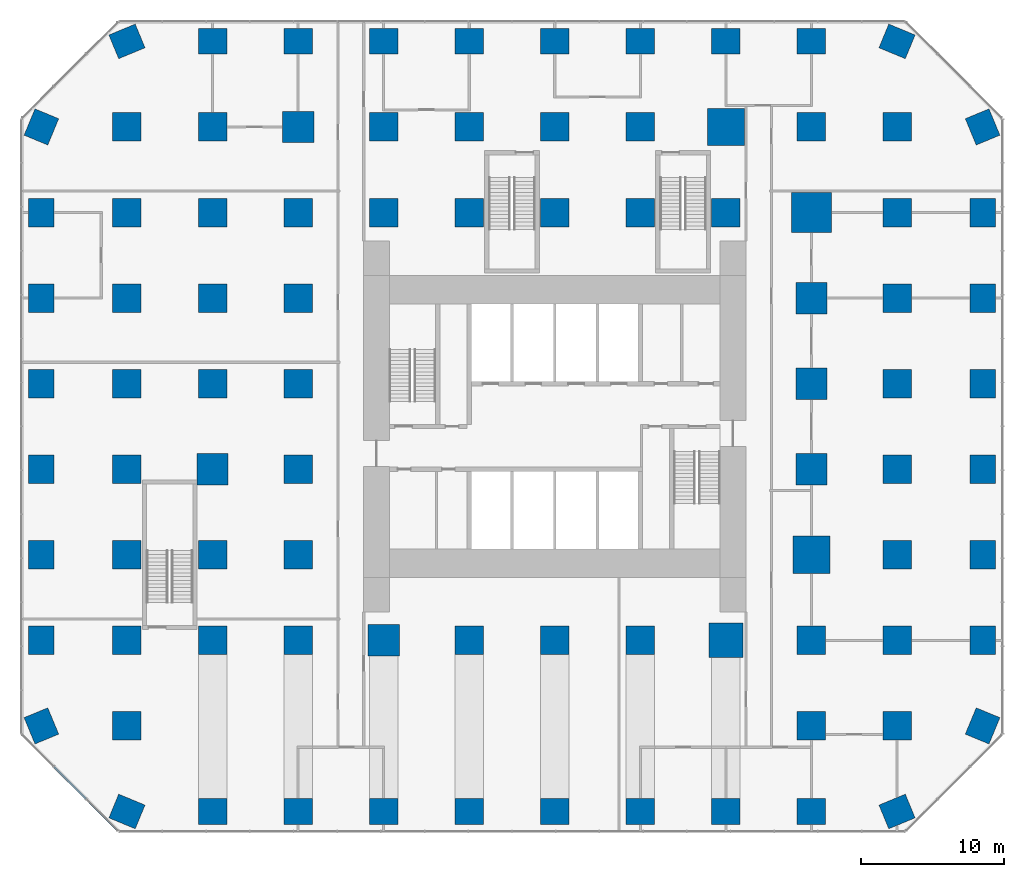
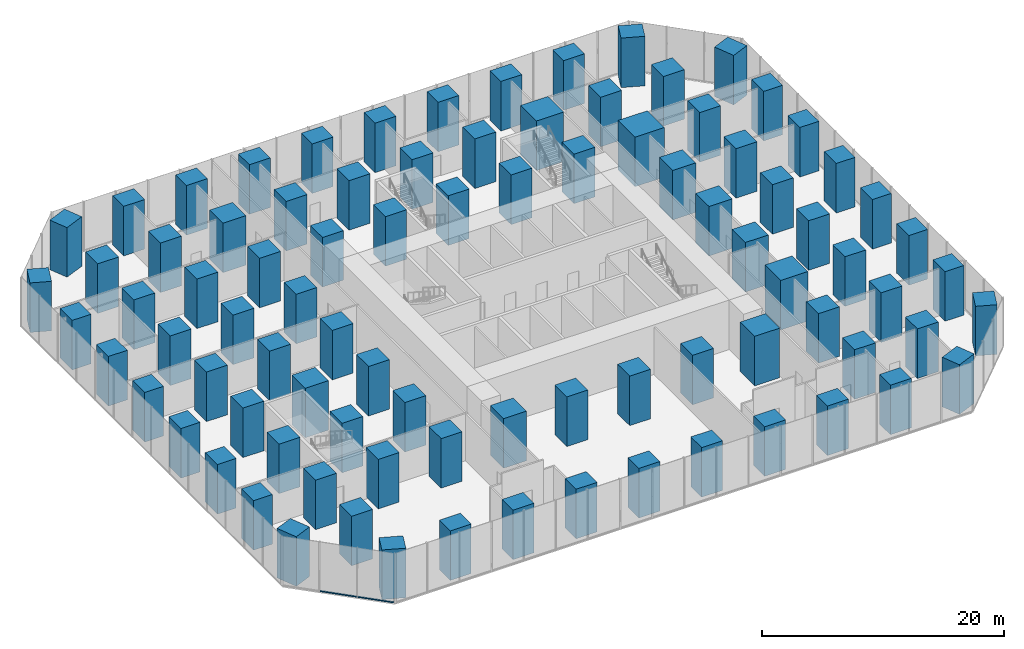
# One storey, part 1 of 15: 89 columns, 2 members, 1 element without a shape of its own.
"""IFC4 building model written with IfcOpenShell, lengths in metres."""

from ifc_helpers import new_model, si_unit, direction, frame, origin, origin_2d, place, context, subcontext, project, spatial, rectangle, extrude, material, layer, layer_set, material_profile, profile_set, type_object, element, aggregate, save


model = new_model("IFC4")

# Units and contexts
model_context = context("Model", 3, precision=1e-05, world=origin(), true_north=direction((0.0, 1.0)))
body_context = subcontext(model_context, "Body", "Model", "MODEL_VIEW")
ifc_project = project(units=[si_unit("LENGTHUNIT", "METRE"), si_unit("AREAUNIT", "SQUARE_METRE"), si_unit("VOLUMEUNIT", "CUBIC_METRE"), si_unit("PLANEANGLEUNIT", "RADIAN"), si_unit("MASSUNIT", "GRAM", prefix="KILO")], contexts=[model_context])

# Site, building, storey
site_placement = place(None, origin())
site = spatial("IfcSite", under=ifc_project, at=site_placement, CompositionType="ELEMENT")
building_placement = place(site_placement, origin())
building = spatial("IfcBuilding", under=site, at=building_placement, Name="Highveld Stack Headquarters", CompositionType="ELEMENT")
storey_placement = place(building_placement, frame((0.0, 0.0, 6.0)))
storey = spatial("IfcBuildingStorey", under=building, at=storey_placement, Name="L01", CompositionType="ELEMENT", Elevation=6.0)

# Columns
ifc_material_1 = material(Name="Concrete C60/75", Category="concrete")
ifc_material_profile_1 = material_profile(ifc_material_1, rectangle(XDim=2.0, YDim=1.800048828125, at=origin_2d()), Name="RC 2000x1800")
ifc_profile_set_1 = profile_set([ifc_material_profile_1], Name="Concrete C60/75")
column_type_1 = type_object("IfcColumnType", Name="COLUMN RC 2000x1800 C60/75", PredefinedType="COLUMN", material=ifc_profile_set_1)
for number, where, z_axis, x_axis, name in (
    (1, (-30.0, -18.0, 0.0), (0.0, 0.0, 1.0), (-0.382683432365, 0.923879532511, 0.0), "Column 1/B L01"),
    (2, (-30.0, -12.0, 0.0), (0.0, 0.0, 1.0), (0.0, 1.0, 0.0), "Column 1/C L01"),
    (3, (-30.0, -6.0, 0.0), (0.0, 0.0, 1.0), (0.0, 1.0, 0.0), "Column 1/D L01"),
    (4, (-30.0, 0.0, 0.0), (0.0, 0.0, 1.0), (0.0, 1.0, 0.0), "Column 1/E L01"),
    (5, (-30.0, 6.0, 0.0), (0.0, 0.0, 1.0), (0.0, 1.0, 0.0), "Column 1/F L01"),
    (6, (-30.0, 12.0, 0.0), (0.0, 0.0, 1.0), (0.0, 1.0, 0.0), "Column 1/G L01"),
    (7, (-30.0, 18.0, 0.0), (0.0, 0.0, 1.0), (0.0, 1.0, 0.0), "Column 1/H L01"),
    (8, (-30.0, 24.0, 0.0), (0.0, 0.0, 1.0), (0.382683432365, 0.923879532511, 0.0), "Column 1/J L01"),
    (9, (-24.0, -24.0, 0.0), (0.0, 0.0, 1.0), (-0.923879532511, 0.382683432365, 0.0), "Column 2/A L01"),
    (10, (-24.0, 30.0, 0.0), (0.0, 0.0, 1.0), (0.923879532511, 0.382683432365, 0.0), "Column 2/K L01"),
    (11, (-18.0, -24.0, 0.0), (0.0, 0.0, 1.0), (1.0, 0.0, 0.0), "Column 3/A L01"),
    (12, (-18.0, 30.0, 0.0), (0.0, 0.0, 1.0), (1.0, 0.0, 0.0), "Column 3/K L01"),
    (13, (-12.0, -24.0, 0.0), (0.0, 0.0, 1.0), (1.0, 0.0, 0.0), "Column 4/A L01"),
    (14, (-12.0, 30.0, 0.0), (0.0, 0.0, 1.0), (1.0, 0.0, 0.0), "Column 4/K L01"),
    (15, (-6.0, -24.0, 0.0), (0.0, 0.0, 1.0), (1.0, 0.0, 0.0), "Column 5/A L01"),
    (16, (-6.0, 30.0, 0.0), (0.0, 0.0, 1.0), (1.0, 0.0, 0.0), "Column 5/K L01"),
    (17, (0.0, -24.0, 0.0), (0.0, 0.0, 1.0), (1.0, 0.0, 0.0), "Column 6/A L01"),
    (18, (0.0, 30.0, 0.0), (0.0, 0.0, 1.0), (1.0, 0.0, 0.0), "Column 6/K L01"),
    (19, (6.0, -24.0, 0.0), (0.0, 0.0, 1.0), (1.0, 0.0, 0.0), "Column 7/A L01"),
    (20, (6.0, 30.0, 0.0), (0.0, 0.0, 1.0), (1.0, 0.0, 0.0), "Column 7/K L01"),
    (21, (12.0, -24.0, 0.0), (0.0, 0.0, 1.0), (1.0, 0.0, 0.0), "Column 8/A L01"),
    (22, (12.0, 30.0, 0.0), (0.0, 0.0, 1.0), (1.0, 0.0, 0.0), "Column 8/K L01"),
    (23, (18.0, -24.0, 0.0), (0.0, 0.0, 1.0), (1.0, 0.0, 0.0), "Column 9/A L01"),
    (24, (18.0, 30.0, 0.0), (0.0, 0.0, 1.0), (1.0, 0.0, 0.0), "Column 9/K L01"),
    (25, (24.0, -24.0, 0.0), (0.0, 0.0, 1.0), (1.0, 0.0, 0.0), "Column 10/A L01"),
    (26, (24.0, 30.0, 0.0), (0.0, 0.0, 1.0), (1.0, 0.0, 0.0), "Column 10/K L01"),
    (27, (30.0, -24.0, 0.0), (0.0, 0.0, 1.0), (-0.923879532511, -0.382683432365, 0.0), "Column 11/A L01"),
    (28, (30.0, 30.0, 0.0), (0.0, 0.0, 1.0), (0.923879532511, -0.382683432365, 0.0), "Column 11/K L01"),
    (29, (36.0, -18.0, 0.0), (0.0, 0.0, 1.0), (-0.382683432365, -0.923879532511, 0.0), "Column 12/B L01"),
    (30, (36.0, -12.0, 0.0), (0.0, 0.0, 1.0), (0.0, 1.0, 0.0), "Column 12/C L01"),
    (31, (36.0, -6.0, 0.0), (0.0, 0.0, 1.0), (0.0, 1.0, 0.0), "Column 12/D L01"),
    (32, (36.0, 0.0, 0.0), (0.0, 0.0, 1.0), (0.0, 1.0, 0.0), "Column 12/E L01"),
    (33, (36.0, 6.0, 0.0), (0.0, 0.0, 1.0), (0.0, 1.0, 0.0), "Column 12/F L01"),
    (34, (36.0, 12.0, 0.0), (0.0, 0.0, 1.0), (0.0, 1.0, 0.0), "Column 12/G L01"),
    (35, (36.0, 18.0, 0.0), (0.0, 0.0, 1.0), (0.0, 1.0, 0.0), "Column 12/H L01"),
    (36, (36.0, 24.0, 0.0), (0.0, 0.0, 1.0), (0.382683432365, -0.923879532511, 0.0), "Column 12/J L01"),
):
    element("IfcColumn", number, at=place(storey_placement, frame(where, z_axis=z_axis, x_axis=x_axis)), inside=storey, type_object=column_type_1, Name=name, PredefinedType="COLUMN", context=body_context, shape_type="SweptSolid", body=[
        extrude(rectangle(XDim=2.0, YDim=1.800048828125, at=origin_2d()), origin(), (0.0, 0.0, 1.0), 5.0),
    ])
ifc_material_2 = material(Name="Concrete C60/75", Category="concrete")
ifc_material_profile_2 = material_profile(ifc_material_2, rectangle(XDim=2.0, YDim=2.0, at=origin_2d()), Name="RC 2000x2000")
ifc_profile_set_2 = profile_set([ifc_material_profile_2], Name="Concrete C60/75")
column_type_2 = type_object("IfcColumnType", Name="COLUMN RC 2000x2000 C60/75", PredefinedType="COLUMN", material=ifc_profile_set_2)
for number, where, z_axis, x_axis, name in (
    (37, (-24.0, -18.0, 0.0), (0.0, 0.0, 1.0), (1.0, 0.0, 0.0), "Column 2/B L01"),
    (38, (-24.0, -12.0, 0.0), (0.0, 0.0, 1.0), (1.0, 0.0, 0.0), "Column 2/C L01"),
    (39, (-24.0, -6.0, 0.0), (0.0, 0.0, 1.0), (1.0, 0.0, 0.0), "Column 2/D L01"),
    (40, (-24.0, 0.0, 0.0), (0.0, 0.0, 1.0), (1.0, 0.0, 0.0), "Column 2/E L01"),
    (41, (-24.0, 6.0, 0.0), (0.0, 0.0, 1.0), (1.0, 0.0, 0.0), "Column 2/F L01"),
    (42, (-24.0, 12.0, 0.0), (0.0, 0.0, 1.0), (1.0, 0.0, 0.0), "Column 2/G L01"),
    (43, (-24.0, 18.0, 0.0), (0.0, 0.0, 1.0), (1.0, 0.0, 0.0), "Column 2/H L01"),
    (44, (-24.0, 24.0, 0.0), (0.0, 0.0, 1.0), (1.0, 0.0, 0.0), "Column 2/J L01"),
    (45, (-18.0, -12.0, 0.0), (0.0, 0.0, 1.0), (1.0, 0.0, 0.0), "Column 3/C L01"),
    (46, (-18.0, -6.0, 0.0), (0.0, 0.0, 1.0), (1.0, 0.0, 0.0), "Column 3/D L01"),
    (47, (-18.0, 6.0, 0.0), (0.0, 0.0, 1.0), (1.0, 0.0, 0.0), "Column 3/F L01"),
    (48, (-18.0, 12.0, 0.0), (0.0, 0.0, 1.0), (1.0, 0.0, 0.0), "Column 3/G L01"),
    (49, (-18.0, 18.0, 0.0), (0.0, 0.0, 1.0), (1.0, 0.0, 0.0), "Column 3/H L01"),
    (50, (-18.0, 24.0, 0.0), (0.0, 0.0, 1.0), (1.0, 0.0, 0.0), "Column 3/J L01"),
    (51, (-12.0, -12.0, 0.0), (0.0, 0.0, 1.0), (1.0, 0.0, 0.0), "Column 4/C L01"),
    (52, (-12.0, -6.0, 0.0), (0.0, 0.0, 1.0), (1.0, 0.0, 0.0), "Column 4/D L01"),
    (53, (-12.0, 0.0, 0.0), (0.0, 0.0, 1.0), (1.0, 0.0, 0.0), "Column 4/E L01"),
    (54, (-12.0, 6.0, 0.0), (0.0, 0.0, 1.0), (1.0, 0.0, 0.0), "Column 4/F L01"),
    (55, (-12.0, 12.0, 0.0), (0.0, 0.0, 1.0), (1.0, 0.0, 0.0), "Column 4/G L01"),
    (56, (-12.0, 18.0, 0.0), (0.0, 0.0, 1.0), (1.0, 0.0, 0.0), "Column 4/H L01"),
    (57, (-6.0, 18.0, 0.0), (0.0, 0.0, 1.0), (1.0, 0.0, 0.0), "Column 5/H L01"),
    (58, (-6.0, 24.0, 0.0), (0.0, 0.0, 1.0), (1.0, 0.0, 0.0), "Column 5/J L01"),
    (59, (0.0, -12.0, 0.0), (0.0, 0.0, 1.0), (1.0, 0.0, 0.0), "Column 6/C L01"),
    (60, (0.0, 18.0, 0.0), (0.0, 0.0, 1.0), (1.0, 0.0, 0.0), "Column 6/H L01"),
    (61, (0.0, 24.0, 0.0), (0.0, 0.0, 1.0), (1.0, 0.0, 0.0), "Column 6/J L01"),
    (62, (6.0, -12.0, 0.0), (0.0, 0.0, 1.0), (1.0, 0.0, 0.0), "Column 7/C L01"),
    (63, (6.0, 18.0, 0.0), (0.0, 0.0, 1.0), (1.0, 0.0, 0.0), "Column 7/H L01"),
    (64, (6.0, 24.0, 0.0), (0.0, 0.0, 1.0), (1.0, 0.0, 0.0), "Column 7/J L01"),
    (65, (12.0, -12.0, 0.0), (0.0, 0.0, 1.0), (1.0, 0.0, 0.0), "Column 8/C L01"),
    (66, (12.0, 18.0, 0.0), (0.0, 0.0, 1.0), (1.0, 0.0, 0.0), "Column 8/H L01"),
    (67, (12.0, 24.0, 0.0), (0.0, 0.0, 1.0), (1.0, 0.0, 0.0), "Column 8/J L01"),
    (68, (18.0, 18.0, 0.0), (0.0, 0.0, 1.0), (1.0, 0.0, 0.0), "Column 9/H L01"),
    (69, (24.0, -18.0, 0.0), (0.0, 0.0, 1.0), (1.0, 0.0, 0.0), "Column 10/B L01"),
    (70, (24.0, -12.0, 0.0), (0.0, 0.0, 1.0), (1.0, 0.0, 0.0), "Column 10/C L01"),
    (71, (24.0, 24.0, 0.0), (0.0, 0.0, 1.0), (1.0, 0.0, 0.0), "Column 10/J L01"),
    (72, (30.0, -18.0, 0.0), (0.0, 0.0, 1.0), (1.0, 0.0, 0.0), "Column 11/B L01"),
    (73, (30.0, -12.0, 0.0), (0.0, 0.0, 1.0), (1.0, 0.0, 0.0), "Column 11/C L01"),
    (74, (30.0, -6.0, 0.0), (0.0, 0.0, 1.0), (1.0, 0.0, 0.0), "Column 11/D L01"),
    (75, (30.0, 0.0, 0.0), (0.0, 0.0, 1.0), (1.0, 0.0, 0.0), "Column 11/E L01"),
    (76, (30.0, 6.0, 0.0), (0.0, 0.0, 1.0), (1.0, 0.0, 0.0), "Column 11/F L01"),
    (77, (30.0, 12.0, 0.0), (0.0, 0.0, 1.0), (1.0, 0.0, 0.0), "Column 11/G L01"),
    (78, (30.0, 18.0, 0.0), (0.0, 0.0, 1.0), (1.0, 0.0, 0.0), "Column 11/H L01"),
    (79, (30.0, 24.0, 0.0), (0.0, 0.0, 1.0), (1.0, 0.0, 0.0), "Column 11/J L01"),
):
    element("IfcColumn", number, at=place(storey_placement, frame(where, z_axis=z_axis, x_axis=x_axis)), inside=storey, type_object=column_type_2, Name=name, PredefinedType="COLUMN", context=body_context, shape_type="SweptSolid", body=[
        extrude(rectangle(XDim=2.0, YDim=2.0, at=origin_2d()), origin(), (0.0, 0.0, 1.0), 5.0),
    ])
ifc_material_3 = material(Name="Concrete C60/75", Category="concrete")
ifc_material_profile_3 = material_profile(ifc_material_3, rectangle(XDim=2.199951171875, YDim=2.199951171875, at=origin_2d()), Name="RC 2200x2200")
ifc_profile_set_3 = profile_set([ifc_material_profile_3], Name="Concrete C60/75")
column_type_3 = type_object("IfcColumnType", Name="COLUMN RC 2200x2200 C60/75", PredefinedType="COLUMN", material=ifc_profile_set_3)
for number, where, z_axis, x_axis, name in (
    (80, (-18.0, 0.0, 0.0), (0.0, 0.0, 1.0), (1.0, 0.0, 0.0), "Column 3/E L01"),
    (81, (-12.0, 24.0, 0.0), (0.0, 0.0, 1.0), (1.0, 0.0, 0.0), "Column 4/J L01"),
    (82, (-6.0, -12.0, 0.0), (0.0, 0.0, 1.0), (1.0, 0.0, 0.0), "Column 5/C L01"),
    (83, (24.0, 0.0, 0.0), (0.0, 0.0, 1.0), (1.0, 0.0, 0.0), "Column 10/E L01"),
    (84, (24.0, 6.0, 0.0), (0.0, 0.0, 1.0), (1.0, 0.0, 0.0), "Column 10/F L01"),
    (85, (24.0, 12.0, 0.0), (0.0, 0.0, 1.0), (1.0, 0.0, 0.0), "Column 10/G L01"),
):
    element("IfcColumn", number, at=place(storey_placement, frame(where, z_axis=z_axis, x_axis=x_axis)), inside=storey, type_object=column_type_3, Name=name, PredefinedType="COLUMN", context=body_context, shape_type="SweptSolid", body=[
        extrude(rectangle(XDim=2.199951171875, YDim=2.199951171875, at=origin_2d()), origin(), (0.0, 0.0, 1.0), 5.0),
    ])
ifc_material_4 = material(Name="Concrete C60/75", Category="concrete")
ifc_material_profile_4 = material_profile(ifc_material_4, rectangle(XDim=2.39990234375, YDim=2.39990234375, at=origin_2d()), Name="RC 2400x2400")
ifc_profile_set_4 = profile_set([ifc_material_profile_4], Name="Concrete C60/75")
column_type_4 = type_object("IfcColumnType", Name="COLUMN RC 2400x2400 C60/75", PredefinedType="COLUMN", material=ifc_profile_set_4)
column_1_placement = place(storey_placement, frame((18.0, -12.0, 0.0), z_axis=(0.0, 0.0, 1.0), x_axis=(1.0, 0.0, 0.0)))
element("IfcColumn", 86, at=column_1_placement, inside=storey, type_object=column_type_4, Name="Column 9/C L01", PredefinedType="COLUMN", context=body_context, shape_type="SweptSolid", body=[
    extrude(rectangle(XDim=2.39990234375, YDim=2.39990234375, at=origin_2d()), origin(), (0.0, 0.0, 1.0), 5.0),
])
ifc_material_5 = material(Name="Concrete C60/75", Category="concrete")
ifc_material_profile_5 = material_profile(ifc_material_5, rectangle(XDim=2.60009765625, YDim=2.60009765625, at=origin_2d()), Name="RC 2600x2600")
ifc_profile_set_5 = profile_set([ifc_material_profile_5], Name="Concrete C60/75")
column_type_5 = type_object("IfcColumnType", Name="COLUMN RC 2600x2600 C60/75", PredefinedType="COLUMN", material=ifc_profile_set_5)
for number, where, z_axis, x_axis, name in (
    (87, (18.0, 24.0, 0.0), (0.0, 0.0, 1.0), (1.0, 0.0, 0.0), "Column 9/J L01"),
    (88, (24.0, -6.0, 0.0), (0.0, 0.0, 1.0), (1.0, 0.0, 0.0), "Column 10/D L01"),
):
    element("IfcColumn", number, at=place(storey_placement, frame(where, z_axis=z_axis, x_axis=x_axis)), inside=storey, type_object=column_type_5, Name=name, PredefinedType="COLUMN", context=body_context, shape_type="SweptSolid", body=[
        extrude(rectangle(XDim=2.60009765625, YDim=2.60009765625, at=origin_2d()), origin(), (0.0, 0.0, 1.0), 5.0),
    ])
ifc_material_6 = material(Name="Concrete C60/75", Category="concrete")
ifc_material_profile_6 = material_profile(ifc_material_6, rectangle(XDim=2.800048828125, YDim=2.800048828125, at=origin_2d()), Name="RC 2800x2800")
ifc_profile_set_6 = profile_set([ifc_material_profile_6], Name="Concrete C60/75")
column_type_6 = type_object("IfcColumnType", Name="COLUMN RC 2800x2800 C60/75", PredefinedType="COLUMN", material=ifc_profile_set_6)
column_2_placement = place(storey_placement, frame((24.0, 18.0, 0.0), z_axis=(0.0, 0.0, 1.0), x_axis=(1.0, 0.0, 0.0)))
element("IfcColumn", 89, at=column_2_placement, inside=storey, type_object=column_type_6, Name="Column 10/H L01", PredefinedType="COLUMN", context=body_context, shape_type="SweptSolid", body=[
    extrude(rectangle(XDim=2.800048828125, YDim=2.800048828125, at=origin_2d()), origin(), (0.0, 0.0, 1.0), 5.0),
])

# Curtain wall, members
ifc_material_7 = material(Name="Aluminium bronze anodised", Category="aluminium")
ifc_layer = layer(ifc_material_7, 0.199951171875)
ifc_layer_set = layer_set([ifc_layer], Name="Aluminium bronze anodised")
curtain_wall_type = type_object("IfcCurtainWallType", Name="CW3 PODIUM STICK CURTAIN WALL", PredefinedType="NOTDEFINED", material=ifc_layer_set)
curtain_wall_placement = place(storey_placement, origin())
curtain_wall = element("IfcCurtainWall", 90, at=curtain_wall_placement, inside=storey, type_object=curtain_wall_type, Name="Curtain wall CW3 L01 SW", PredefinedType="NOTDEFINED")
ifc_material_8 = material(Name="Aluminium bronze anodised", Category="aluminium")
ifc_material_profile_7 = material_profile(ifc_material_8, rectangle(XDim=0.14990234375, YDim=0.10009765625, at=origin_2d()), Name="CW3 TRANSOM 150x100")
ifc_profile_set_7 = profile_set([ifc_material_profile_7], Name="Aluminium bronze anodised")
member_type = type_object("IfcMemberType", Name="CW3 STACK TRANSOM 150x100", PredefinedType="USERDEFINED", material=ifc_profile_set_7)
member_1_placement = place(storey_placement, frame((-29.103759765625, -20.876220703125, 0.050048828125), z_axis=(0.707106781187, -0.707106781187, 0.0), x_axis=(0.707106781187, 0.707106781187, 0.0)))
member_1 = element("IfcMember", 91, at=member_1_placement, type_object=member_type, Name="CW3 transom L01 2.1", ObjectType="TRANSOM", PredefinedType="USERDEFINED", context=body_context, shape_type="SweptSolid", body=[
    extrude(rectangle(XDim=0.14990234375, YDim=0.10009765625, at=origin_2d()), origin(), (0.0, 0.0, 1.0), 3.150146484375),
])
member_2_placement = place(storey_placement, frame((-26.830322265625, -23.149658203125, 0.050048828125), z_axis=(0.707106781187, -0.707106781187, 0.0), x_axis=(0.707106781187, 0.707106781187, 0.0)))
member_2 = element("IfcMember", 92, at=member_2_placement, type_object=member_type, Name="CW3 transom L01 3.1", ObjectType="TRANSOM", PredefinedType="USERDEFINED", context=body_context, shape_type="SweptSolid", body=[
    extrude(rectangle(XDim=0.14990234375, YDim=0.10009765625, at=origin_2d()), origin(), (0.0, 0.0, 1.0), 3.08251953125),
])
aggregate(curtain_wall, [member_1, member_2])

save(model, "model.ifc")
